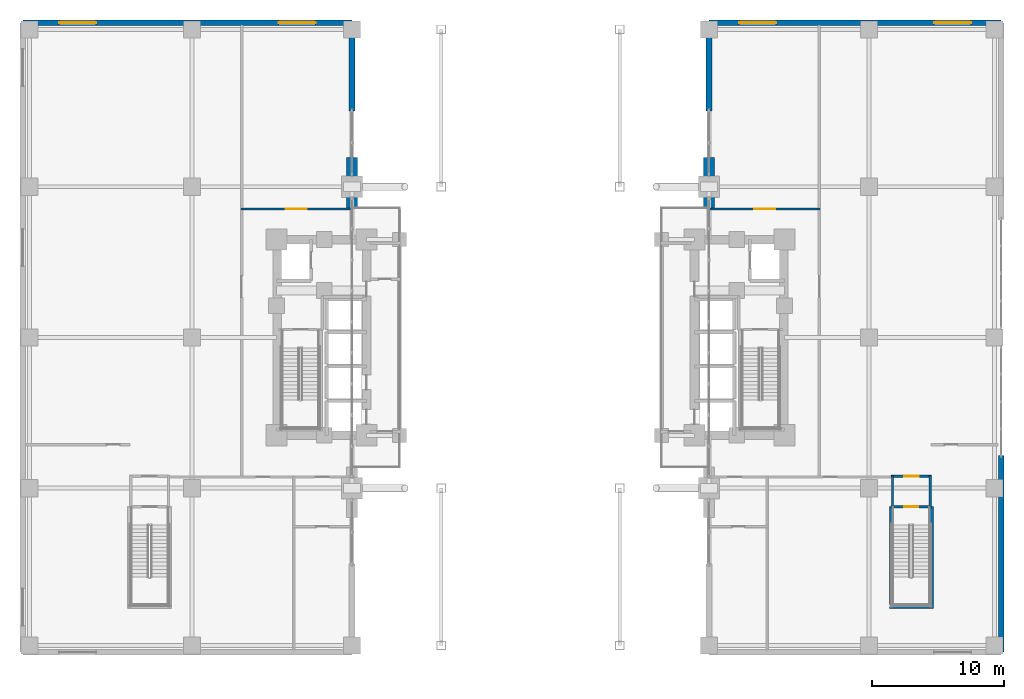
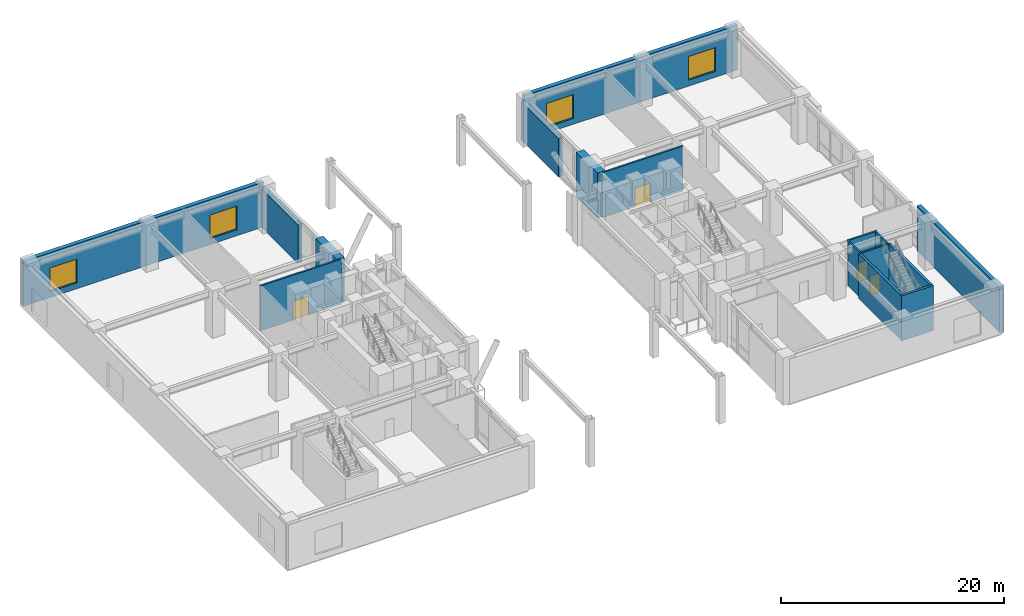
# One storey, part 22 of 27: 16 walls, 4 doors, 4 windows, 8 openings.
"""IFC4 building model written with IfcOpenShell, lengths in metres."""

from ifc_helpers import new_model, si_unit, direction, frame, frame_2d, origin, place, context, subcontext, project, spatial, rectangle, extrude, material, layer, layer_set, type_object, element, fill, save


model = new_model("IFC4")

# Units and contexts
model_context = context("Model", 3, precision=1e-05, world=origin(), true_north=direction((0.0, 1.0)))
body_context = subcontext(model_context, "Body", "Model", "MODEL_VIEW")
ifc_project = project(units=[si_unit("LENGTHUNIT", "METRE"), si_unit("AREAUNIT", "SQUARE_METRE"), si_unit("VOLUMEUNIT", "CUBIC_METRE"), si_unit("PLANEANGLEUNIT", "RADIAN"), si_unit("MASSUNIT", "GRAM", prefix="KILO")], contexts=[model_context])

# Site, building, storey
site_placement = place(None, origin())
site = spatial("IfcSite", under=ifc_project, at=site_placement, CompositionType="ELEMENT")
building_placement = place(site_placement, origin())
building = spatial("IfcBuilding", under=site, at=building_placement, Name="Voryun Gate Residences", CompositionType="ELEMENT")
storey_placement = place(building_placement, frame((0.0, 0.0, 5.199951171875)))
storey = spatial("IfcBuildingStorey", under=building, at=storey_placement, Name="L01", CompositionType="ELEMENT", Elevation=5.199951171875)

# Walls
ifc_material_1 = material(Name="Concrete C60/75", Category="concrete")
ifc_layer_1 = layer(ifc_material_1, 0.800048828125, Name="W_ARCH_PIER_800")
ifc_layer_set_1 = layer_set([ifc_layer_1], Name="Concrete C60/75")
wall_type_1 = type_object("IfcWallType", Name="W_ARCH_PIER_800", PredefinedType="SOLIDWALL", material=ifc_layer_set_1)
for number, where, z_axis, x_axis, name in (
    (1, (-13.5, 9.800048828125, 0.0), (0.0, 0.0, 1.0), (0.0, 1.0, 0.0), "L01 Parabolic arch pier wall WN"),
    (2, (13.5, 9.800048828125, 0.0), (0.0, 0.0, 1.0), (0.0, 1.0, 0.0), "L01 Parabolic arch pier wall EN"),
):
    element("IfcWall", number, at=place(storey_placement, frame(where, z_axis=z_axis, x_axis=x_axis)), inside=storey, type_object=wall_type_1, Name=name, PredefinedType="SOLIDWALL", context=body_context, shape_type="SweptSolid", body=[
        extrude(rectangle(XDim=3.800048828125, YDim=0.800048828125, at=frame_2d((1.89990234375, 0.0))), origin(), (0.0, 0.0, 1.0), 4.920166015625),
    ])
ifc_material_2 = material(Name="Gypsum acoustic fireboard")
ifc_layer_2 = layer(ifc_material_2, 0.179931640625, Name="W_CORR_RATED_180")
ifc_layer_set_2 = layer_set([ifc_layer_2], Name="Gypsum acoustic fireboard")
wall_type_2 = type_object("IfcWallType", Name="W_CORR_RATED_180", PredefinedType="PARTITIONING", material=ifc_layer_set_2)
for number, where, z_axis, x_axis, name in (
    (3, (27.3798828125, -12.800048828125, 0.0), (0.0, 0.0, 1.0), (0.0, 1.0, 0.0), "Partition wall WP-L01-ST-P2-VW"),
    (4, (30.219970703125, -12.800048828125, 0.0), (0.0, 0.0, 1.0), (0.0, 1.0, 0.0), "Partition wall WP-L01-ST-P2-VE"),
):
    element("IfcWall", number, at=place(storey_placement, frame(where, z_axis=z_axis, x_axis=x_axis)), inside=storey, type_object=wall_type_2, Name=name, PredefinedType="PARTITIONING", context=body_context, shape_type="SweptSolid", body=[
        extrude(rectangle(XDim=2.35009765625, YDim=0.179931640625, at=frame_2d((1.175048828125, 0.0))), origin(), (0.0, 0.0, 1.0), 4.920166015625),
    ])

# Wall, opening, door
wall_1_placement = place(storey_placement, frame((27.280029296875, -12.800048828125, 0.0), z_axis=(0.0, 0.0, 1.0), x_axis=(1.0, 0.0, 0.0)))
wall_1 = element("IfcWall", 5, at=wall_1_placement, inside=storey, type_object=wall_type_2, Name="Partition wall WP-L01-ST-P2-MID", PredefinedType="PARTITIONING", context=body_context, shape_type="SweptSolid", body=[
    extrude(rectangle(XDim=3.0400390625, YDim=0.179931640625, at=frame_2d((1.52001953125, 0.0))), origin(), (0.0, 0.0, 1.0), 4.920166015625),
])
opening_1_placement = place(wall_1_placement, frame((0.9951171875, 0.0, 0.0)))
opening_1 = element("IfcOpeningElement", 6, at=opening_1_placement, cuts=wall_1, Name="Opening D-FD60-1", PredefinedType="OPENING", context=body_context, shape_type="SweptSolid", body=[
    extrude(rectangle(XDim=1.050048828125, YDim=2.050048828125, at=frame_2d((0.52490234375, 1.02490234375))), frame((0.0, 0.099853515625, 0.0), z_axis=(0.0, -1.0, 0.0), x_axis=(1.0, 0.0, 0.0)), (0.0, 0.0, 1.0), 0.199951171875),
])
ifc_material_3 = material(Name="Painted steel fire door", Category="steel")
door_type_1 = type_object("IfcDoorType", Name="DR_FD60_STAIR_1050", OperationType="NOTDEFINED", PredefinedType="DOOR", material=ifc_material_3)
door_1_placement = place(opening_1_placement, origin())
door_1 = element("IfcDoor", 7, at=door_1_placement, inside=storey, type_object=door_type_1, Name="Door DR-L01-ST-P2-IN", OperationType="SINGLE_SWING_LEFT", OverallHeight=2.050048828125, OverallWidth=1.050048828125, PredefinedType="DOOR", context=body_context, shape_type="SweptSolid", body=[
    extrude(rectangle(XDim=1.050048828125, YDim=2.050048828125, at=frame_2d((0.52490234375, 1.02490234375))), frame((0.0, 0.02490234375, 0.0), z_axis=(0.0, -1.0, 0.0), x_axis=(1.0, 0.0, 0.0)), (0.0, 0.0, 1.0), 0.050048828125),
])
fill(opening_1, door_1)

wall_2_placement = place(storey_placement, frame((27.280029296875, -10.5, 0.0), z_axis=(0.0, 0.0, 1.0), x_axis=(1.0, 0.0, 0.0)))
wall_2 = element("IfcWall", 8, at=wall_2_placement, inside=storey, type_object=wall_type_2, Name="Partition wall WP-L01-ST-P2-N", PredefinedType="PARTITIONING", context=body_context, shape_type="SweptSolid", body=[
    extrude(rectangle(XDim=3.0400390625, YDim=0.179931640625, at=frame_2d((1.52001953125, 0.0))), origin(), (0.0, 0.0, 1.0), 4.920166015625),
])
opening_2_placement = place(wall_2_placement, frame((0.969970703125, 0.0, 0.0)))
opening_2 = element("IfcOpeningElement", 9, at=opening_2_placement, cuts=wall_2, Name="Opening D-FD60-2", PredefinedType="OPENING", context=body_context, shape_type="SweptSolid", body=[
    extrude(rectangle(XDim=1.10009765625, YDim=2.050048828125, at=frame_2d((0.550048828125, 1.02490234375))), frame((0.0, 0.099853515625, 0.0), z_axis=(0.0, -1.0, 0.0), x_axis=(1.0, 0.0, 0.0)), (0.0, 0.0, 1.0), 0.199951171875),
])
ifc_material_4 = material(Name="Painted steel fire door", Category="steel")
door_type_2 = type_object("IfcDoorType", Name="DR_FD60_FFLOB_1100", OperationType="NOTDEFINED", PredefinedType="DOOR", material=ifc_material_4)
door_2_placement = place(opening_2_placement, origin())
door_2 = element("IfcDoor", 10, at=door_2_placement, inside=storey, type_object=door_type_2, Name="Door DR-L01-ST-P2-OUT", OperationType="SINGLE_SWING_RIGHT", OverallHeight=2.050048828125, OverallWidth=1.10009765625, PredefinedType="DOOR", context=body_context, shape_type="SweptSolid", body=[
    extrude(rectangle(XDim=1.10009765625, YDim=2.050048828125, at=frame_2d((0.550048828125, 1.02490234375))), frame((0.0, 0.02490234375, 0.0), z_axis=(0.0, -1.0, 0.0), x_axis=(1.0, 0.0, 0.0)), (0.0, 0.0, 1.0), 0.050048828125),
])
fill(opening_2, door_2)

wall_3_placement = place(storey_placement, frame((-21.89990234375, 9.719970703125, 0.0), z_axis=(0.0, 0.0, 1.0), x_axis=(1.0, 0.0, 0.0)))
wall_3 = element("IfcWall", 11, at=wall_3_placement, inside=storey, type_object=wall_type_2, Name="Partition wall WP-L01-WCN1", PredefinedType="PARTITIONING", context=body_context, shape_type="SweptSolid", body=[
    extrude(rectangle(XDim=8.3798828125, YDim=0.179931640625, at=frame_2d((4.18994140625, 0.0))), origin(), (0.0, 0.0, 1.0), 4.920166015625),
])
opening_3_placement = place(wall_3_placement, frame((3.389892578125, 0.0, 0.0)))
opening_3 = element("IfcOpeningElement", 12, at=opening_3_placement, cuts=wall_3, Name="Opening D-FD30-1", PredefinedType="OPENING", context=body_context, shape_type="SweptSolid", body=[
    extrude(rectangle(XDim=1.60009765625, YDim=2.050048828125, at=frame_2d((0.800048828125, 1.02490234375))), frame((0.0, 0.099853515625, 0.0), z_axis=(0.0, -1.0, 0.0), x_axis=(1.0, 0.0, 0.0)), (0.0, 0.0, 1.0), 0.199951171875),
])
ifc_material_5 = material(Name="Glazed aluminium fire door", Category="aluminium")
door_type_3 = type_object("IfcDoorType", Name="DR_CORR_SMOKE_1600", OperationType="NOTDEFINED", PredefinedType="DOOR", material=ifc_material_5)
door_3_placement = place(opening_3_placement, origin())
door_3 = element("IfcDoor", 13, at=door_3_placement, inside=storey, type_object=door_type_3, Name="Door DR-L01-WD3", OperationType="DOUBLE_DOOR_SINGLE_SWING", OverallHeight=2.050048828125, OverallWidth=1.60009765625, PredefinedType="DOOR", context=body_context, shape_type="SweptSolid", body=[
    extrude(rectangle(XDim=1.60009765625, YDim=2.050048828125, at=frame_2d((0.800048828125, 1.02490234375))), frame((0.0, 0.02490234375, 0.0), z_axis=(0.0, -1.0, 0.0), x_axis=(1.0, 0.0, 0.0)), (0.0, 0.0, 1.0), 0.050048828125),
])
fill(opening_3, door_3)

wall_4_placement = place(storey_placement, frame((13.52001953125, 9.719970703125, 0.0), z_axis=(0.0, 0.0, 1.0), x_axis=(1.0, 0.0, 0.0)))
wall_4 = element("IfcWall", 14, at=wall_4_placement, inside=storey, type_object=wall_type_2, Name="Partition wall WP-L01-ECN1", PredefinedType="PARTITIONING", context=body_context, shape_type="SweptSolid", body=[
    extrude(rectangle(XDim=8.3798828125, YDim=0.179931640625, at=frame_2d((4.18994140625, 0.0))), origin(), (0.0, 0.0, 1.0), 4.920166015625),
])
opening_4_placement = place(wall_4_placement, frame((3.389892578125, 0.0, 0.0)))
opening_4 = element("IfcOpeningElement", 15, at=opening_4_placement, cuts=wall_4, Name="Opening D-FD30-1", PredefinedType="OPENING", context=body_context, shape_type="SweptSolid", body=[
    extrude(rectangle(XDim=1.60009765625, YDim=2.050048828125, at=frame_2d((0.800048828125, 1.02490234375))), frame((0.0, 0.099853515625, 0.0), z_axis=(0.0, -1.0, 0.0), x_axis=(1.0, 0.0, 0.0)), (0.0, 0.0, 1.0), 0.199951171875),
])
door_4_placement = place(opening_4_placement, origin())
door_4 = element("IfcDoor", 16, at=door_4_placement, inside=storey, type_object=door_type_3, Name="Door DR-L01-ED2", OperationType="DOUBLE_DOOR_SINGLE_SWING", OverallHeight=2.050048828125, OverallWidth=1.60009765625, PredefinedType="DOOR", context=body_context, shape_type="SweptSolid", body=[
    extrude(rectangle(XDim=1.60009765625, YDim=2.050048828125, at=frame_2d((0.800048828125, 1.02490234375))), frame((0.0, 0.02490234375, 0.0), z_axis=(0.0, -1.0, 0.0), x_axis=(1.0, 0.0, 0.0)), (0.0, 0.0, 1.0), 0.050048828125),
])
fill(opening_4, door_4)

# Wall
ifc_material_6 = material(Name="Granite masonry", Category="masonry")
ifc_layer_3 = layer(ifc_material_6, 0.419921875, Name="W_EXT_PODIUM_420")
ifc_layer_set_3 = layer_set([ifc_layer_3], Name="Granite masonry")
wall_type_3 = type_object("IfcWallType", Name="W_EXT_PODIUM_420", PredefinedType="ELEMENTEDWALL", material=ifc_layer_set_3)
wall_5_placement = place(storey_placement, frame((-13.5, 17.1201171875, 0.0), z_axis=(0.0, 0.0, 1.0), x_axis=(0.0, 1.0, 0.0)))
element("IfcWall", 17, at=wall_5_placement, inside=storey, type_object=wall_type_3, Name="Exterior wall WEP-L01-WP-2B", PredefinedType="ELEMENTEDWALL", context=body_context, shape_type="SweptSolid", body=[
    extrude(rectangle(XDim=6.679931640625, YDim=0.419921875, at=frame_2d((3.33984375, 0.0))), origin(), (0.0, 0.0, 1.0), 4.2099609375),
])

# Wall, openings, windows
wall_6_placement = place(storey_placement, frame((-13.5, 23.800048828125, 0.0), z_axis=(0.0, 0.0, 1.0), x_axis=(-1.0, 0.0, 0.0)))
wall_6 = element("IfcWall", 18, at=wall_6_placement, inside=storey, type_object=wall_type_3, Name="Exterior wall WEP-L01-WP-3", PredefinedType="ELEMENTEDWALL", context=body_context, shape_type="SweptSolid", body=[
    extrude(rectangle(XDim=24.89990234375, YDim=0.419921875, at=frame_2d((12.449951171875, 0.0))), origin(), (0.0, 0.0, 1.0), 4.920166015625),
])
opening_5_placement = place(wall_6_placement, frame((2.75, 0.0, 0.64990234375)))
opening_5 = element("IfcOpeningElement", 19, at=opening_5_placement, cuts=wall_6, Name="Opening WN5", PredefinedType="OPENING", context=body_context, shape_type="SweptSolid", body=[
    extrude(rectangle(XDim=2.800048828125, YDim=2.60009765625, at=frame_2d((1.39990234375, 1.300048828125))), frame((0.0, 0.219970703125, 0.0), z_axis=(0.0, -1.0, 0.0), x_axis=(1.0, 0.0, 0.0)), (0.0, 0.0, 1.0), 0.43994140625),
])
opening_6_placement = place(wall_6_placement, frame((19.35009765625, 0.0, 0.64990234375)))
opening_6 = element("IfcOpeningElement", 20, at=opening_6_placement, cuts=wall_6, Name="Opening WN5", PredefinedType="OPENING", context=body_context, shape_type="SweptSolid", body=[
    extrude(rectangle(XDim=2.800048828125, YDim=2.60009765625, at=frame_2d((1.39990234375, 1.300048828125))), frame((0.0, 0.219970703125, 0.0), z_axis=(0.0, -1.0, 0.0), x_axis=(1.0, 0.0, 0.0)), (0.0, 0.0, 1.0), 0.43994140625),
])
ifc_material_7 = material(Name="Laminated low-E glass", Category="glass")
window_type = type_object("IfcWindowType", Name="WN_POD_GALLERY_2800", PartitioningType="SINGLE_PANEL", PredefinedType="WINDOW", material=ifc_material_7)
window_1_placement = place(opening_5_placement, origin())
window_1 = element("IfcWindow", 21, at=window_1_placement, inside=storey, type_object=window_type, Name="Window WN-L01-WP-3-01", OverallHeight=2.60009765625, OverallWidth=2.800048828125, PartitioningType="SINGLE_PANEL", PredefinedType="WINDOW", context=body_context, shape_type="SweptSolid", body=[
    extrude(rectangle(XDim=2.800048828125, YDim=2.60009765625, at=frame_2d((1.39990234375, 1.300048828125))), frame((0.0, 0.030029296875, 0.0), z_axis=(0.0, -1.0, 0.0), x_axis=(1.0, 0.0, 0.0)), (0.0, 0.0, 1.0), 0.06005859375),
])
fill(opening_5, window_1)
window_2_placement = place(opening_6_placement, origin())
window_2 = element("IfcWindow", 22, at=window_2_placement, inside=storey, type_object=window_type, Name="Window WN-L01-WP-3-03", OverallHeight=2.60009765625, OverallWidth=2.800048828125, PartitioningType="SINGLE_PANEL", PredefinedType="WINDOW", context=body_context, shape_type="SweptSolid", body=[
    extrude(rectangle(XDim=2.800048828125, YDim=2.60009765625, at=frame_2d((1.39990234375, 1.300048828125))), frame((0.0, 0.030029296875, 0.0), z_axis=(0.0, -1.0, 0.0), x_axis=(1.0, 0.0, 0.0)), (0.0, 0.0, 1.0), 0.06005859375),
])
fill(opening_6, window_2)

# Wall
wall_7_placement = place(storey_placement, frame((35.60009765625, -23.800048828125, 0.0), z_axis=(0.0, 0.0, 1.0), x_axis=(0.0, 1.0, 0.0)))
element("IfcWall", 23, at=wall_7_placement, inside=storey, type_object=wall_type_3, Name="Exterior wall WEP-L01-EP-2A", PredefinedType="ELEMENTEDWALL", context=body_context, shape_type="SweptSolid", body=[
    extrude(rectangle(XDim=14.880126953125, YDim=0.419921875, at=frame_2d((7.43994140625, 0.0))), origin(), (0.0, 0.0, 1.0), 4.920166015625),
])

# Wall, openings, windows
wall_8_placement = place(storey_placement, frame((35.60009765625, 23.800048828125, 0.0), z_axis=(0.0, 0.0, 1.0), x_axis=(-1.0, 0.0, 0.0)))
wall_8 = element("IfcWall", 24, at=wall_8_placement, inside=storey, type_object=wall_type_3, Name="Exterior wall WEP-L01-EP-3", PredefinedType="ELEMENTEDWALL", context=body_context, shape_type="SweptSolid", body=[
    extrude(rectangle(XDim=22.10009765625, YDim=0.419921875, at=frame_2d((11.050048828125, 0.0))), origin(), (0.0, 0.0, 1.0), 4.920166015625),
])
opening_7_placement = place(wall_8_placement, frame((2.282958984375, 0.0, 0.64990234375)))
opening_7 = element("IfcOpeningElement", 25, at=opening_7_placement, cuts=wall_8, Name="Opening WN5", PredefinedType="OPENING", context=body_context, shape_type="SweptSolid", body=[
    extrude(rectangle(XDim=2.800048828125, YDim=2.60009765625, at=frame_2d((1.39990234375, 1.300048828125))), frame((0.0, 0.219970703125, 0.0), z_axis=(0.0, -1.0, 0.0), x_axis=(1.0, 0.0, 0.0)), (0.0, 0.0, 1.0), 0.43994140625),
])
opening_8_placement = place(wall_8_placement, frame((17.01708984375, 0.0, 0.64990234375)))
opening_8 = element("IfcOpeningElement", 26, at=opening_8_placement, cuts=wall_8, Name="Opening WN5", PredefinedType="OPENING", context=body_context, shape_type="SweptSolid", body=[
    extrude(rectangle(XDim=2.800048828125, YDim=2.60009765625, at=frame_2d((1.39990234375, 1.300048828125))), frame((0.0, 0.219970703125, 0.0), z_axis=(0.0, -1.0, 0.0), x_axis=(1.0, 0.0, 0.0)), (0.0, 0.0, 1.0), 0.43994140625),
])
window_3_placement = place(opening_7_placement, origin())
window_3 = element("IfcWindow", 27, at=window_3_placement, inside=storey, type_object=window_type, Name="Window WN-L01-EP-3-01", OverallHeight=2.60009765625, OverallWidth=2.800048828125, PartitioningType="SINGLE_PANEL", PredefinedType="WINDOW", context=body_context, shape_type="SweptSolid", body=[
    extrude(rectangle(XDim=2.800048828125, YDim=2.60009765625, at=frame_2d((1.39990234375, 1.300048828125))), frame((0.0, 0.030029296875, 0.0), z_axis=(0.0, -1.0, 0.0), x_axis=(1.0, 0.0, 0.0)), (0.0, 0.0, 1.0), 0.06005859375),
])
fill(opening_7, window_3)
window_4_placement = place(opening_8_placement, origin())
window_4 = element("IfcWindow", 28, at=window_4_placement, inside=storey, type_object=window_type, Name="Window WN-L01-EP-3-03", OverallHeight=2.60009765625, OverallWidth=2.800048828125, PartitioningType="SINGLE_PANEL", PredefinedType="WINDOW", context=body_context, shape_type="SweptSolid", body=[
    extrude(rectangle(XDim=2.800048828125, YDim=2.60009765625, at=frame_2d((1.39990234375, 1.300048828125))), frame((0.0, 0.030029296875, 0.0), z_axis=(0.0, -1.0, 0.0), x_axis=(1.0, 0.0, 0.0)), (0.0, 0.0, 1.0), 0.06005859375),
])
fill(opening_8, window_4)

# Walls
wall_9_placement = place(storey_placement, frame((13.5, 17.1201171875, 0.0), z_axis=(0.0, 0.0, 1.0), x_axis=(0.0, 1.0, 0.0)))
element("IfcWall", 29, at=wall_9_placement, inside=storey, type_object=wall_type_3, Name="Exterior wall WEP-L01-EP-4B", PredefinedType="ELEMENTEDWALL", context=body_context, shape_type="SweptSolid", body=[
    extrude(rectangle(XDim=6.679931640625, YDim=0.419921875, at=frame_2d((3.33984375, 0.0))), origin(), (0.0, 0.0, 1.0), 4.2099609375),
])
ifc_material_8 = material(Name="Concrete C50/60", Category="concrete")
ifc_layer_4 = layer(ifc_material_8, 0.25, Name="W_SHAFT_RC250")
ifc_layer_set_4 = layer_set([ifc_layer_4], Name="Concrete C50/60")
wall_type_4 = type_object("IfcWallType", Name="W_SHAFT_RC250", PredefinedType="SOLIDWALL", material=ifc_layer_set_4)
for number, where, z_axis, x_axis, name in (
    (30, (27.260009765625, -20.485107421875, 0.0), (0.0, 0.0, 1.0), (0.0, 1.0, 0.0), "L01 Podium stair structural wall STP2-W"),
    (31, (30.340087890625, -20.485107421875, 0.0), (0.0, 0.0, 1.0), (0.0, 1.0, 0.0), "L01 Podium stair structural wall STP2-E"),
):
    element("IfcWall", number, at=place(storey_placement, frame(where, z_axis=z_axis, x_axis=x_axis)), inside=storey, type_object=wall_type_4, Name=name, PredefinedType="SOLIDWALL", context=body_context, shape_type="SweptSolid", body=[
        extrude(rectangle(XDim=7.68505859375, YDim=0.25, at=frame_2d((3.842529296875, 0.0))), origin(), (0.0, 0.0, 1.0), 4.920166015625),
    ])
wall_10_placement = place(storey_placement, frame((27.139892578125, -20.364990234375, 0.0), z_axis=(0.0, 0.0, 1.0), x_axis=(1.0, 0.0, 0.0)))
element("IfcWall", 32, at=wall_10_placement, inside=storey, type_object=wall_type_4, Name="L01 Podium stair structural wall STP2-S", PredefinedType="SOLIDWALL", context=body_context, shape_type="SweptSolid", body=[
    extrude(rectangle(XDim=3.320068359375, YDim=0.25, at=frame_2d((1.66015625, 0.0))), origin(), (0.0, 0.0, 1.0), 4.920166015625),
])

save(model, "model.ifc")
